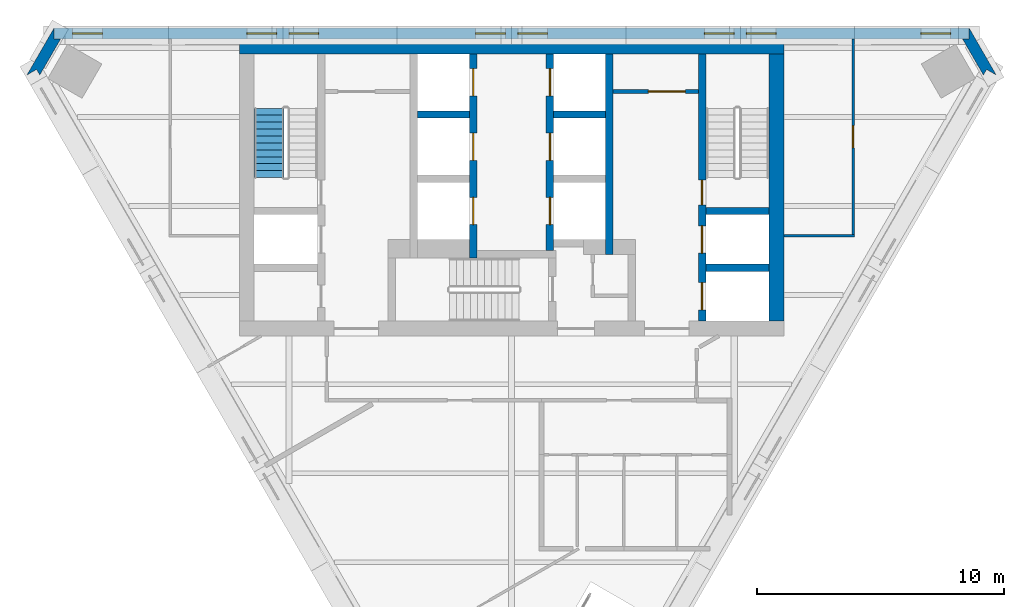
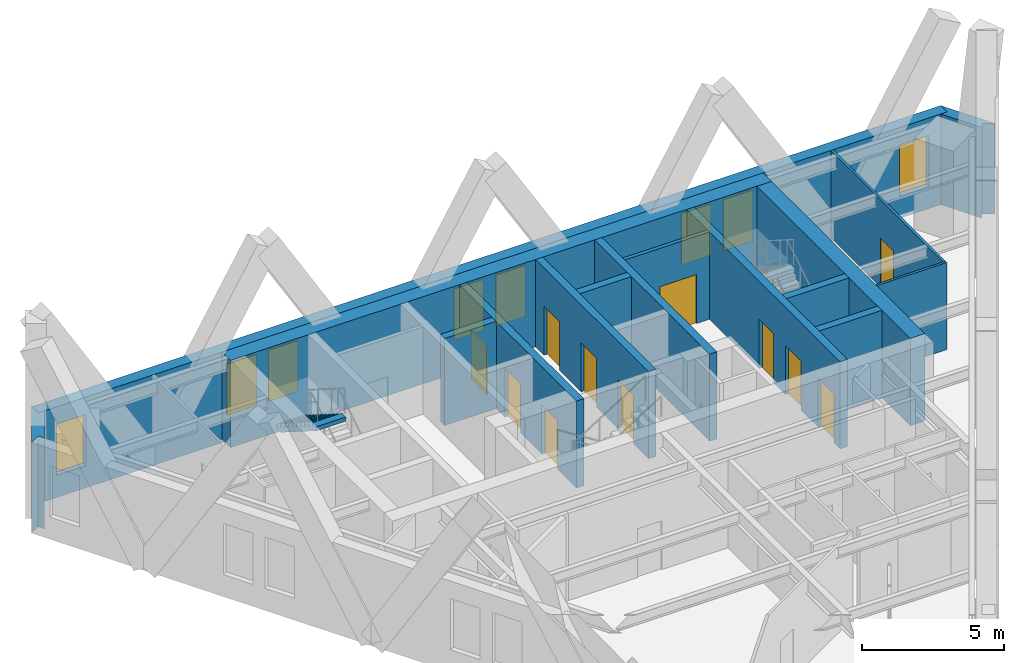
# One storey, part 6 of 9: 16 walls, 11 doors, 8 windows, 1 stair flight, 19 openings, 1 element without a shape of its own.
"""IFC4 building model written with IfcOpenShell, lengths in metres."""

from ifc_helpers import new_model, si_unit, direction, frame, frame_2d, origin, place, context, subcontext, project, spatial, polyline, rectangle, outline, extrude, material, layer, layer_set, type_object, element, fill, aggregate, save


model = new_model("IFC4")

# Units and contexts
model_context = context("Model", 3, precision=1e-05, world=origin(), true_north=direction((0.0, 1.0)))
body_context = subcontext(model_context, "Body", "Model", "MODEL_VIEW")
ifc_project = project(units=[si_unit("LENGTHUNIT", "METRE"), si_unit("AREAUNIT", "SQUARE_METRE"), si_unit("VOLUMEUNIT", "CUBIC_METRE"), si_unit("PLANEANGLEUNIT", "RADIAN"), si_unit("MASSUNIT", "GRAM", prefix="KILO")], contexts=[model_context])

# Site, building, storey
site_placement = place(None, origin())
site = spatial("IfcSite", under=ifc_project, at=site_placement, CompositionType="ELEMENT")
building_placement = place(site_placement, origin())
building = spatial("IfcBuilding", under=site, at=building_placement, Name="Aloe Facet Convention Tower", CompositionType="ELEMENT")
storey_placement = place(building_placement, frame((0.0, 0.0, 277.699951171875)))
storey = spatial("IfcBuildingStorey", under=building, at=storey_placement, Name="L68", CompositionType="ELEMENT", Elevation=277.699951171875)

# Wall, opening, door
ifc_material_1 = material(Name="Concrete blockwork partition", Category="masonry")
ifc_layer_1 = layer(ifc_material_1, 0.14990234375)
ifc_layer_set_1 = layer_set([ifc_layer_1], Name="CR-W-PART150")
wall_type_1 = type_object("IfcWallType", Name="CR-W-PART150", PredefinedType="PARTITIONING", material=ifc_layer_set_1)
wall_1_placement = place(storey_placement, frame((84.10009765625, 132.425048828125, 0.0), z_axis=(0.0, 0.0, 1.0), x_axis=(1.0, 0.0, 0.0)))
wall_1 = element("IfcWall", 1, at=wall_1_placement, inside=storey, type_object=wall_type_1, Name="Core partition L68-025", PredefinedType="PARTITIONING", context=body_context, shape_type="SweptSolid", body=[
    extrude(rectangle(XDim=3.449951171875, YDim=0.14990234375, at=frame_2d((1.72509765625, 0.0))), origin(), (0.0, 0.0, 1.0), 3.75),
])
opening_1_placement = place(wall_1_placement, frame((1.425048828125, 0.0, 0.0)))
opening_1 = element("IfcOpeningElement", 2, at=opening_1_placement, cuts=wall_1, Name="Opening L68-CD13", PredefinedType="OPENING", context=body_context, shape_type="SweptSolid", body=[
    extrude(rectangle(XDim=1.5, YDim=2.10009765625, at=frame_2d((0.75, 1.050048828125))), frame((0.0, 0.0849609375, 0.0), z_axis=(0.0, -1.0, 0.0), x_axis=(1.0, 0.0, 0.0)), (0.0, 0.0, 1.0), 0.169921875),
])
ifc_material_2 = material(Name="Steel fire-resisting door set FD60", Category="steel")
door_type_1 = type_object("IfcDoorType", Name="CR-D-REFUGE-1500-FD60-DD", OperationType="DOUBLE_DOOR_DOUBLE_SWING", PredefinedType="DOOR", material=ifc_material_2)
door_1_placement = place(opening_1_placement, origin())
door_1 = element("IfcDoor", 3, at=door_1_placement, inside=storey, type_object=door_type_1, Name="Core door L68-CD13", OperationType="DOUBLE_DOOR_DOUBLE_SWING", OverallHeight=2.10009765625, OverallWidth=1.5, PredefinedType="DOOR", context=body_context, shape_type="SweptSolid", body=[
    extrude(rectangle(XDim=1.5, YDim=2.10009765625, at=frame_2d((0.75, 1.050048828125))), frame((0.0, 0.02490234375, 0.0), z_axis=(0.0, -1.0, 0.0), x_axis=(1.0, 0.0, 0.0)), (0.0, 0.0, 1.0), 0.050048828125),
])
fill(opening_1, door_1)

# Wall
ifc_material_3 = material(Name="Concrete C50/60", Category="concrete")
ifc_layer_2 = layer(ifc_material_3, 0.300048828125)
ifc_layer_set_2 = layer_set([ifc_layer_2], Name="CR-W-RC300-C5060")
wall_type_2 = type_object("IfcWallType", Name="CR-W-RC300-C5060", PredefinedType="SOLIDWALL", material=ifc_layer_set_2)
wall_2_placement = place(storey_placement, frame((76.199951171875, 131.5, 0.0), z_axis=(0.0, 0.0, 1.0), x_axis=(1.0, 0.0, 0.0)))
element("IfcWall", 4, at=wall_2_placement, inside=storey, type_object=wall_type_2, Name="Core wall L68-011", PredefinedType="SOLIDWALL", context=body_context, shape_type="SweptSolid", body=[
    extrude(rectangle(XDim=2.10009765625, YDim=0.300048828125, at=frame_2d((1.050048828125, 0.0))), origin(), (0.0, 0.0, 1.0), 3.75),
])

# Wall, openings, doors
wall_3_placement = place(storey_placement, frame((78.449951171875, 133.949951171875, 0.0), z_axis=(0.0, 0.0, 1.0), x_axis=(0.0, -1.0, 0.0)))
wall_3 = element("IfcWall", 5, at=wall_3_placement, inside=storey, type_object=wall_type_2, Name="Core wall L68-014", PredefinedType="SOLIDWALL", context=body_context, shape_type="SweptSolid", body=[
    extrude(rectangle(XDim=8.25, YDim=0.300048828125, at=frame_2d((4.125, 0.0))), origin(), (0.0, 0.0, 1.0), 3.75),
])
opening_2_placement = place(wall_3_placement, frame((0.60009765625, 0.0, 0.0)))
opening_2 = element("IfcOpeningElement", 6, at=opening_2_placement, cuts=wall_3, Name="Opening LD-B1-L68", PredefinedType="OPENING", context=body_context, shape_type="SweptSolid", body=[
    extrude(rectangle(XDim=1.10009765625, YDim=2.10009765625, at=frame_2d((0.550048828125, 1.050048828125))), frame((0.0, 0.16015625, 0.0), z_axis=(0.0, -1.0, 0.0), x_axis=(1.0, 0.0, 0.0)), (0.0, 0.0, 1.0), 0.320068359375),
])
opening_3_placement = place(wall_3_placement, frame((3.199951171875, 0.0, 0.0)))
opening_3 = element("IfcOpeningElement", 7, at=opening_3_placement, cuts=wall_3, Name="Opening LD-B2-L68", PredefinedType="OPENING", context=body_context, shape_type="SweptSolid", body=[
    extrude(rectangle(XDim=1.10009765625, YDim=2.10009765625, at=frame_2d((0.550048828125, 1.050048828125))), frame((0.0, 0.16015625, 0.0), z_axis=(0.0, -1.0, 0.0), x_axis=(1.0, 0.0, 0.0)), (0.0, 0.0, 1.0), 0.320068359375),
])
opening_4_placement = place(wall_3_placement, frame((5.800048828125, 0.0, 0.0)))
opening_4 = element("IfcOpeningElement", 8, at=opening_4_placement, cuts=wall_3, Name="Opening LD-B3-L68", PredefinedType="OPENING", context=body_context, shape_type="SweptSolid", body=[
    extrude(rectangle(XDim=1.10009765625, YDim=2.10009765625, at=frame_2d((0.550048828125, 1.050048828125))), frame((0.0, 0.16015625, 0.0), z_axis=(0.0, -1.0, 0.0), x_axis=(1.0, 0.0, 0.0)), (0.0, 0.0, 1.0), 0.320068359375),
])
ifc_material_4 = material(Name="Stainless steel sliding landing door", Category="steel")
door_type_2 = type_object("IfcDoorType", Name="CR-LD-1100-FD60-RIGHT", OperationType="SLIDING_TO_RIGHT", PredefinedType="DOOR", material=ifc_material_4)
door_2_placement = place(opening_2_placement, origin())
door_2 = element("IfcDoor", 9, at=door_2_placement, inside=storey, type_object=door_type_2, Name="Landing door B1 L68", OperationType="SLIDING_TO_RIGHT", OverallHeight=2.10009765625, OverallWidth=1.10009765625, PredefinedType="DOOR", context=body_context, shape_type="SweptSolid", body=[
    extrude(rectangle(XDim=1.10009765625, YDim=2.10009765625, at=frame_2d((0.550048828125, 1.050048828125))), frame((0.0, 0.02490234375, 0.0), z_axis=(0.0, -1.0, 0.0), x_axis=(1.0, 0.0, 0.0)), (0.0, 0.0, 1.0), 0.050048828125),
])
fill(opening_2, door_2)
door_3_placement = place(opening_3_placement, origin())
door_3 = element("IfcDoor", 10, at=door_3_placement, inside=storey, type_object=door_type_2, Name="Landing door B2 L68", OperationType="SLIDING_TO_RIGHT", OverallHeight=2.10009765625, OverallWidth=1.10009765625, PredefinedType="DOOR", context=body_context, shape_type="SweptSolid", body=[
    extrude(rectangle(XDim=1.10009765625, YDim=2.10009765625, at=frame_2d((0.550048828125, 1.050048828125))), frame((0.0, 0.02490234375, 0.0), z_axis=(0.0, -1.0, 0.0), x_axis=(1.0, 0.0, 0.0)), (0.0, 0.0, 1.0), 0.050048828125),
])
fill(opening_3, door_3)
door_4_placement = place(opening_4_placement, origin())
door_4 = element("IfcDoor", 11, at=door_4_placement, inside=storey, type_object=door_type_2, Name="Landing door B3 L68", OperationType="SLIDING_TO_RIGHT", OverallHeight=2.10009765625, OverallWidth=1.10009765625, PredefinedType="DOOR", context=body_context, shape_type="SweptSolid", body=[
    extrude(rectangle(XDim=1.10009765625, YDim=2.10009765625, at=frame_2d((0.550048828125, 1.050048828125))), frame((0.0, 0.02490234375, 0.0), z_axis=(0.0, -1.0, 0.0), x_axis=(1.0, 0.0, 0.0)), (0.0, 0.0, 1.0), 0.050048828125),
])
fill(opening_4, door_4)

wall_4_placement = place(storey_placement, frame((81.550048828125, 133.949951171875, 0.0), z_axis=(0.0, 0.0, 1.0), x_axis=(0.0, -1.0, 0.0)))
wall_4 = element("IfcWall", 12, at=wall_4_placement, inside=storey, type_object=wall_type_2, Name="Core wall L68-016", PredefinedType="SOLIDWALL", context=body_context, shape_type="SweptSolid", body=[
    extrude(rectangle(XDim=7.949951171875, YDim=0.300048828125, at=frame_2d((3.97509765625, 0.0))), origin(), (0.0, 0.0, 1.0), 3.75),
])
opening_5_placement = place(wall_4_placement, frame((0.60009765625, 0.0, 0.0)))
opening_5 = element("IfcOpeningElement", 13, at=opening_5_placement, cuts=wall_4, Name="Opening LD-B4-L68", PredefinedType="OPENING", context=body_context, shape_type="SweptSolid", body=[
    extrude(rectangle(XDim=1.10009765625, YDim=2.10009765625, at=frame_2d((0.550048828125, 1.050048828125))), frame((0.0, 0.16015625, 0.0), z_axis=(0.0, -1.0, 0.0), x_axis=(1.0, 0.0, 0.0)), (0.0, 0.0, 1.0), 0.320068359375),
])
opening_6_placement = place(wall_4_placement, frame((3.199951171875, 0.0, 0.0)))
opening_6 = element("IfcOpeningElement", 14, at=opening_6_placement, cuts=wall_4, Name="Opening LD-B5-L68", PredefinedType="OPENING", context=body_context, shape_type="SweptSolid", body=[
    extrude(rectangle(XDim=1.10009765625, YDim=2.10009765625, at=frame_2d((0.550048828125, 1.050048828125))), frame((0.0, 0.16015625, 0.0), z_axis=(0.0, -1.0, 0.0), x_axis=(1.0, 0.0, 0.0)), (0.0, 0.0, 1.0), 0.320068359375),
])
opening_7_placement = place(wall_4_placement, frame((5.800048828125, 0.0, 0.0)))
opening_7 = element("IfcOpeningElement", 15, at=opening_7_placement, cuts=wall_4, Name="Opening LD-B6-L68", PredefinedType="OPENING", context=body_context, shape_type="SweptSolid", body=[
    extrude(rectangle(XDim=1.10009765625, YDim=2.10009765625, at=frame_2d((0.550048828125, 1.050048828125))), frame((0.0, 0.16015625, 0.0), z_axis=(0.0, -1.0, 0.0), x_axis=(1.0, 0.0, 0.0)), (0.0, 0.0, 1.0), 0.320068359375),
])
ifc_material_5 = material(Name="Stainless steel sliding landing door", Category="steel")
door_type_3 = type_object("IfcDoorType", Name="CR-LD-1100-FD60-_LEFT", OperationType="SLIDING_TO_LEFT", PredefinedType="DOOR", material=ifc_material_5)
door_5_placement = place(opening_5_placement, origin())
door_5 = element("IfcDoor", 16, at=door_5_placement, inside=storey, type_object=door_type_3, Name="Landing door B4 L68", OperationType="SLIDING_TO_LEFT", OverallHeight=2.10009765625, OverallWidth=1.10009765625, PredefinedType="DOOR", context=body_context, shape_type="SweptSolid", body=[
    extrude(rectangle(XDim=1.10009765625, YDim=2.10009765625, at=frame_2d((0.550048828125, 1.050048828125))), frame((0.0, 0.02490234375, 0.0), z_axis=(0.0, -1.0, 0.0), x_axis=(1.0, 0.0, 0.0)), (0.0, 0.0, 1.0), 0.050048828125),
])
fill(opening_5, door_5)
door_6_placement = place(opening_6_placement, origin())
door_6 = element("IfcDoor", 17, at=door_6_placement, inside=storey, type_object=door_type_3, Name="Landing door B5 L68", OperationType="SLIDING_TO_LEFT", OverallHeight=2.10009765625, OverallWidth=1.10009765625, PredefinedType="DOOR", context=body_context, shape_type="SweptSolid", body=[
    extrude(rectangle(XDim=1.10009765625, YDim=2.10009765625, at=frame_2d((0.550048828125, 1.050048828125))), frame((0.0, 0.02490234375, 0.0), z_axis=(0.0, -1.0, 0.0), x_axis=(1.0, 0.0, 0.0)), (0.0, 0.0, 1.0), 0.050048828125),
])
fill(opening_6, door_6)
door_7_placement = place(opening_7_placement, origin())
door_7 = element("IfcDoor", 18, at=door_7_placement, inside=storey, type_object=door_type_3, Name="Landing door B6 L68", OperationType="SLIDING_TO_LEFT", OverallHeight=2.10009765625, OverallWidth=1.10009765625, PredefinedType="DOOR", context=body_context, shape_type="SweptSolid", body=[
    extrude(rectangle(XDim=1.10009765625, YDim=2.10009765625, at=frame_2d((0.550048828125, 1.050048828125))), frame((0.0, 0.02490234375, 0.0), z_axis=(0.0, -1.0, 0.0), x_axis=(1.0, 0.0, 0.0)), (0.0, 0.0, 1.0), 0.050048828125),
])
fill(opening_7, door_7)

# Walls
wall_5_placement = place(storey_placement, frame((81.699951171875, 131.5, 0.0), z_axis=(0.0, 0.0, 1.0), x_axis=(1.0, 0.0, 0.0)))
element("IfcWall", 19, at=wall_5_placement, inside=storey, type_object=wall_type_2, Name="Core wall L68-018", PredefinedType="SOLIDWALL", context=body_context, shape_type="SweptSolid", body=[
    extrude(rectangle(XDim=2.10009765625, YDim=0.300048828125, at=frame_2d((1.050048828125, 0.0))), origin(), (0.0, 0.0, 1.0), 3.75),
])
wall_6_placement = place(storey_placement, frame((83.949951171875, 133.949951171875, 0.0), z_axis=(0.0, 0.0, 1.0), x_axis=(0.0, -1.0, 0.0)))
element("IfcWall", 20, at=wall_6_placement, inside=storey, type_object=wall_type_2, Name="Core wall L68-024", PredefinedType="SOLIDWALL", context=body_context, shape_type="SweptSolid", body=[
    extrude(rectangle(XDim=8.099853515625, YDim=0.300048828125, at=frame_2d((4.0498046875, 0.0))), origin(), (0.0, 0.0, 1.0), 3.75),
])

# Wall, openings, doors
wall_7_placement = place(storey_placement, frame((87.699951171875, 133.949951171875, 0.0), z_axis=(0.0, 0.0, 1.0), x_axis=(0.0, -1.0, 0.0)))
wall_7 = element("IfcWall", 21, at=wall_7_placement, inside=storey, type_object=wall_type_2, Name="Core wall L68-028", PredefinedType="SOLIDWALL", context=body_context, shape_type="SweptSolid", body=[
    extrude(rectangle(XDim=10.800048828125, YDim=0.300048828125, at=frame_2d((5.39990234375, 0.0))), origin(), (0.0, 0.0, 1.0), 3.75),
])
opening_8_placement = place(wall_7_placement, frame((6.949951171875, 0.0, 0.0)))
opening_8 = element("IfcOpeningElement", 22, at=opening_8_placement, cuts=wall_7, Name="Opening LD-FF2-L68", PredefinedType="OPENING", context=body_context, shape_type="SweptSolid", body=[
    extrude(rectangle(XDim=1.10009765625, YDim=2.10009765625, at=frame_2d((0.550048828125, 1.050048828125))), frame((0.0, 0.16015625, 0.0), z_axis=(0.0, -1.0, 0.0), x_axis=(1.0, 0.0, 0.0)), (0.0, 0.0, 1.0), 0.320068359375),
])
opening_9_placement = place(wall_7_placement, frame((5.10009765625, 0.0, 0.0)))
opening_9 = element("IfcOpeningElement", 23, at=opening_9_placement, cuts=wall_7, Name="Opening L68-CD17", PredefinedType="OPENING", context=body_context, shape_type="SweptSolid", body=[
    extrude(rectangle(XDim=1.0, YDim=2.10009765625, at=frame_2d((0.5, 1.050048828125))), frame((0.0, 0.16015625, 0.0), z_axis=(0.0, -1.0, 0.0), x_axis=(1.0, 0.0, 0.0)), (0.0, 0.0, 1.0), 0.320068359375),
])
opening_10_placement = place(wall_7_placement, frame((9.25, 0.0, 0.0)))
opening_10 = element("IfcOpeningElement", 24, at=opening_10_placement, cuts=wall_7, Name="Opening LD-SV1-L68", PredefinedType="OPENING", context=body_context, shape_type="SweptSolid", body=[
    extrude(rectangle(XDim=1.10009765625, YDim=2.10009765625, at=frame_2d((0.550048828125, 1.050048828125))), frame((0.0, 0.16015625, 0.0), z_axis=(0.0, -1.0, 0.0), x_axis=(1.0, 0.0, 0.0)), (0.0, 0.0, 1.0), 0.320068359375),
])
ifc_material_6 = material(Name="Steel fire-resisting door set FD120", Category="steel")
door_type_4 = type_object("IfcDoorType", Name="CR-D-STAIR-1000-FD120-SLEFT", OperationType="SINGLE_SWING_LEFT", PredefinedType="DOOR", material=ifc_material_6)
door_8_placement = place(opening_9_placement, origin())
door_8 = element("IfcDoor", 25, at=door_8_placement, inside=storey, type_object=door_type_4, Name="Core door L68-CD17", OperationType="SINGLE_SWING_LEFT", OverallHeight=2.10009765625, OverallWidth=1.0, PredefinedType="DOOR", context=body_context, shape_type="SweptSolid", body=[
    extrude(rectangle(XDim=1.0, YDim=2.10009765625, at=frame_2d((0.5, 1.050048828125))), frame((0.0, 0.02490234375, 0.0), z_axis=(0.0, -1.0, 0.0), x_axis=(1.0, 0.0, 0.0)), (0.0, 0.0, 1.0), 0.050048828125),
])
fill(opening_9, door_8)
ifc_material_7 = material(Name="Stainless steel sliding landing door", Category="steel")
door_type_5 = type_object("IfcDoorType", Name="CR-LD-1100-FD120-_LEFT", OperationType="SLIDING_TO_LEFT", PredefinedType="DOOR", material=ifc_material_7)
door_9_placement = place(opening_8_placement, origin())
door_9 = element("IfcDoor", 26, at=door_9_placement, inside=storey, type_object=door_type_5, Name="Landing door FF2 L68", OperationType="SLIDING_TO_LEFT", OverallHeight=2.10009765625, OverallWidth=1.10009765625, PredefinedType="DOOR", context=body_context, shape_type="SweptSolid", body=[
    extrude(rectangle(XDim=1.10009765625, YDim=2.10009765625, at=frame_2d((0.550048828125, 1.050048828125))), frame((0.0, 0.02490234375, 0.0), z_axis=(0.0, -1.0, 0.0), x_axis=(1.0, 0.0, 0.0)), (0.0, 0.0, 1.0), 0.050048828125),
])
fill(opening_8, door_9)
door_10_placement = place(opening_10_placement, origin())
door_10 = element("IfcDoor", 27, at=door_10_placement, inside=storey, type_object=door_type_5, Name="Landing door SV1 L68", OperationType="SLIDING_TO_LEFT", OverallHeight=2.10009765625, OverallWidth=1.10009765625, PredefinedType="DOOR", context=body_context, shape_type="SweptSolid", body=[
    extrude(rectangle(XDim=1.10009765625, YDim=2.10009765625, at=frame_2d((0.550048828125, 1.050048828125))), frame((0.0, 0.02490234375, 0.0), z_axis=(0.0, -1.0, 0.0), x_axis=(1.0, 0.0, 0.0)), (0.0, 0.0, 1.0), 0.050048828125),
])
fill(opening_10, door_10)

# Walls
for number, where, z_axis, x_axis, name in (
    (28, (87.85009765625, 127.60009765625, 0.0), (0.0, 0.0, 1.0), (1.0, 0.0, 0.0), "Core wall L68-029"),
    (29, (87.85009765625, 125.300048828125, 0.0), (0.0, 0.0, 1.0), (1.0, 0.0, 0.0), "Core wall L68-030"),
):
    element("IfcWall", number, at=place(storey_placement, frame(where, z_axis=z_axis, x_axis=x_axis)), inside=storey, type_object=wall_type_2, Name=name, PredefinedType="SOLIDWALL", context=body_context, shape_type="SweptSolid", body=[
        extrude(rectangle(XDim=2.5498046875, YDim=0.300048828125, at=frame_2d((1.27490234375, 0.0))), origin(), (0.0, 0.0, 1.0), 3.75),
    ])
ifc_material_8 = material(Name="Concrete C50/60", Category="concrete")
ifc_layer_3 = layer(ifc_material_8, 0.60009765625)
ifc_layer_set_3 = layer_set([ifc_layer_3], Name="CR-W-RC600-C5060")
wall_type_3 = type_object("IfcWallType", Name="CR-W-RC600-C5060", PredefinedType="SOLIDWALL", material=ifc_layer_set_3)
wall_8_placement = place(storey_placement, frame((69.0, 134.25, 0.0), z_axis=(0.0, 0.0, 1.0), x_axis=(1.0, 0.0, 0.0)))
element("IfcWall", 30, at=wall_8_placement, inside=storey, type_object=wall_type_3, Name="Core wall L68-001", PredefinedType="SOLIDWALL", context=body_context, shape_type="SweptSolid", body=[
    extrude(rectangle(XDim=22.0, YDim=0.60009765625, at=frame_2d((11.0, 0.0))), origin(), (0.0, 0.0, 1.0), 3.75),
])
wall_9_placement = place(storey_placement, frame((90.699951171875, 133.949951171875, 0.0), z_axis=(0.0, 0.0, 1.0), x_axis=(0.0, -1.0, 0.0)))
element("IfcWall", 31, at=wall_9_placement, inside=storey, type_object=wall_type_3, Name="Core wall L68-031", PredefinedType="SOLIDWALL", context=body_context, shape_type="SweptSolid", body=[
    extrude(rectangle(XDim=10.800048828125, YDim=0.60009765625, at=frame_2d((5.39990234375, 0.0))), origin(), (0.0, 0.0, 1.0), 3.75),
])
ifc_material_9 = material(Name="Precast concrete C40/50", Category="concrete")
ifc_layer_4 = layer(ifc_material_9, 0.449951171875)
ifc_layer_set_4 = layer_set([ifc_layer_4], Name="EV-WALL-PIER")
wall_type_4 = type_object("IfcWallType", Name="EV-WALL-PIER", PredefinedType="SOLIDWALL", material=ifc_layer_set_4)
wall_10_placement = place(storey_placement, frame((0.0, 0.0, -0.14990234375)))
element("IfcWall", 32, at=wall_10_placement, inside=storey, type_object=wall_type_4, Name="EP-L68-A", PredefinedType="SOLIDWALL", context=body_context, shape_type="SweptSolid", body=[
    extrude(outline(polyline([(61.513916015625, 135.0), (61.513916015625, 134.550048828125), (61.773681640625, 134.550048828125), (60.933349609375, 133.0947265625), (60.803466796875, 133.31982421875), (60.413818359375, 133.0947265625), (61.513916015625, 135.0)])), origin(), (0.0, 0.0, 1.0), 3.89990234375),
])
wall_11_placement = place(storey_placement, frame((0.0, 0.0, -0.14990234375)))
element("IfcWall", 33, at=wall_11_placement, inside=storey, type_object=wall_type_4, Name="EP-L68-C", PredefinedType="SOLIDWALL", context=body_context, shape_type="SweptSolid", body=[
    extrude(outline(polyline([(99.586181640625, 133.0947265625), (99.196533203125, 133.31982421875), (99.066650390625, 133.0947265625), (98.226318359375, 134.550048828125), (98.486083984375, 134.550048828125), (98.486083984375, 135.0), (99.586181640625, 133.0947265625)])), origin(), (0.0, 0.0, 1.0), 3.89990234375),
])

# Wall, openings, windows
ifc_material_10 = material(Name="Precast concrete C40/50", Category="concrete")
ifc_layer_5 = layer(ifc_material_10, 0.449951171875)
ifc_layer_set_5 = layer_set([ifc_layer_5], Name="EV-WALL-STONE")
wall_type_5 = type_object("IfcWallType", Name="EV-WALL-STONE", PredefinedType="SOLIDWALL", material=ifc_layer_set_5)
wall_12_placement = place(storey_placement, frame((98.486083984375, 134.77490234375, -0.14990234375), z_axis=(0.0, 0.0, 1.0), x_axis=(-1.0, 0.0, 0.0)))
wall_12 = element("IfcWall", 34, at=wall_12_placement, inside=storey, type_object=wall_type_5, Name="EW-L68-N01", PredefinedType="SOLIDWALL", context=body_context, shape_type="SweptSolid", body=[
    extrude(outline(polyline([(36.972412109375, 0.0), (36.972412109375, 3.89990234375), (0.0, 3.89990234375), (0.0, 0.0), (36.972412109375, 0.0)])), frame((0.0, 0.22509765625, 0.0), z_axis=(0.0, -1.0, 0.0), x_axis=(1.0, 0.0, 0.0)), (0.0, 0.0, 1.0), 0.449951171875),
])
opening_11_placement = place(wall_12_placement, frame((0.744140625, 0.0, 0.949951171875)))
opening_11 = element("IfcOpeningElement", 35, at=opening_11_placement, cuts=wall_12, Name="Opening W-L68-N01", PredefinedType="OPENING", context=body_context, shape_type="SweptSolid", body=[
    extrude(rectangle(XDim=1.199951171875, YDim=2.199951171875, at=frame_2d((0.60009765625, 1.10009765625))), frame((0.0, 0.23486328125, 0.0), z_axis=(0.0, -1.0, 0.0), x_axis=(1.0, 0.0, 0.0)), (0.0, 0.0, 1.0), 0.469970703125),
])
opening_12_placement = place(wall_12_placement, frame((7.79296875, 0.0, 0.949951171875)))
opening_12 = element("IfcOpeningElement", 36, at=opening_12_placement, cuts=wall_12, Name="Opening W-L68-N02", PredefinedType="OPENING", context=body_context, shape_type="SweptSolid", body=[
    extrude(rectangle(XDim=1.199951171875, YDim=2.199951171875, at=frame_2d((0.60009765625, 1.10009765625))), frame((0.0, 0.23486328125, 0.0), z_axis=(0.0, -1.0, 0.0), x_axis=(1.0, 0.0, 0.0)), (0.0, 0.0, 1.0), 0.469970703125),
])
opening_13_placement = place(wall_12_placement, frame((9.4931640625, 0.0, 0.949951171875)))
opening_13 = element("IfcOpeningElement", 37, at=opening_13_placement, cuts=wall_12, Name="Opening W-L68-N03", PredefinedType="OPENING", context=body_context, shape_type="SweptSolid", body=[
    extrude(rectangle(XDim=1.199951171875, YDim=2.199951171875, at=frame_2d((0.60009765625, 1.10009765625))), frame((0.0, 0.23486328125, 0.0), z_axis=(0.0, -1.0, 0.0), x_axis=(1.0, 0.0, 0.0)), (0.0, 0.0, 1.0), 0.469970703125),
])
opening_14_placement = place(wall_12_placement, frame((17.0361328125, 0.0, 0.949951171875)))
opening_14 = element("IfcOpeningElement", 38, at=opening_14_placement, cuts=wall_12, Name="Opening W-L68-N04", PredefinedType="OPENING", context=body_context, shape_type="SweptSolid", body=[
    extrude(rectangle(XDim=1.199951171875, YDim=2.199951171875, at=frame_2d((0.60009765625, 1.10009765625))), frame((0.0, 0.23486328125, 0.0), z_axis=(0.0, -1.0, 0.0), x_axis=(1.0, 0.0, 0.0)), (0.0, 0.0, 1.0), 0.469970703125),
])
opening_15_placement = place(wall_12_placement, frame((18.736083984375, 0.0, 0.949951171875)))
opening_15 = element("IfcOpeningElement", 39, at=opening_15_placement, cuts=wall_12, Name="Opening W-L68-N05", PredefinedType="OPENING", context=body_context, shape_type="SweptSolid", body=[
    extrude(rectangle(XDim=1.199951171875, YDim=2.199951171875, at=frame_2d((0.60009765625, 1.10009765625))), frame((0.0, 0.23486328125, 0.0), z_axis=(0.0, -1.0, 0.0), x_axis=(1.0, 0.0, 0.0)), (0.0, 0.0, 1.0), 0.469970703125),
])
opening_16_placement = place(wall_12_placement, frame((26.279296875, 0.0, 0.949951171875)))
opening_16 = element("IfcOpeningElement", 40, at=opening_16_placement, cuts=wall_12, Name="Opening W-L68-N06", PredefinedType="OPENING", context=body_context, shape_type="SweptSolid", body=[
    extrude(rectangle(XDim=1.199951171875, YDim=2.199951171875, at=frame_2d((0.60009765625, 1.10009765625))), frame((0.0, 0.23486328125, 0.0), z_axis=(0.0, -1.0, 0.0), x_axis=(1.0, 0.0, 0.0)), (0.0, 0.0, 1.0), 0.469970703125),
])
opening_17_placement = place(wall_12_placement, frame((27.979248046875, 0.0, 0.949951171875)))
opening_17 = element("IfcOpeningElement", 41, at=opening_17_placement, cuts=wall_12, Name="Opening W-L68-N07", PredefinedType="OPENING", context=body_context, shape_type="SweptSolid", body=[
    extrude(rectangle(XDim=1.199951171875, YDim=2.199951171875, at=frame_2d((0.60009765625, 1.10009765625))), frame((0.0, 0.23486328125, 0.0), z_axis=(0.0, -1.0, 0.0), x_axis=(1.0, 0.0, 0.0)), (0.0, 0.0, 1.0), 0.469970703125),
])
opening_18_placement = place(wall_12_placement, frame((35.028076171875, 0.0, 0.949951171875)))
opening_18 = element("IfcOpeningElement", 42, at=opening_18_placement, cuts=wall_12, Name="Opening W-L68-N08", PredefinedType="OPENING", context=body_context, shape_type="SweptSolid", body=[
    extrude(rectangle(XDim=1.199951171875, YDim=2.199951171875, at=frame_2d((0.60009765625, 1.10009765625))), frame((0.0, 0.23486328125, 0.0), z_axis=(0.0, -1.0, 0.0), x_axis=(1.0, 0.0, 0.0)), (0.0, 0.0, 1.0), 0.469970703125),
])
ifc_material_11 = material(Name="Aluminium frame, clear double glazing", Category="aluminium")
window_type = type_object("IfcWindowType", Name="EV-WIN-O12", PartitioningType="SINGLE_PANEL", PredefinedType="WINDOW", material=ifc_material_11)
window_1_placement = place(opening_11_placement, origin())
window_1 = element("IfcWindow", 43, at=window_1_placement, inside=storey, type_object=window_type, Name="W-L68-N01", OverallHeight=2.199951171875, OverallWidth=1.199951171875, PartitioningType="SINGLE_PANEL", PredefinedType="WINDOW", context=body_context, shape_type="SweptSolid", body=[
    extrude(rectangle(XDim=1.199951171875, YDim=2.199951171875, at=frame_2d((0.60009765625, 1.10009765625))), frame((0.0, 0.030029296875, 0.0), z_axis=(0.0, -1.0, 0.0), x_axis=(1.0, 0.0, 0.0)), (0.0, 0.0, 1.0), 0.06005859375),
])
fill(opening_11, window_1)
window_2_placement = place(opening_12_placement, origin())
window_2 = element("IfcWindow", 44, at=window_2_placement, inside=storey, type_object=window_type, Name="W-L68-N02", OverallHeight=2.199951171875, OverallWidth=1.199951171875, PartitioningType="SINGLE_PANEL", PredefinedType="WINDOW", context=body_context, shape_type="SweptSolid", body=[
    extrude(rectangle(XDim=1.199951171875, YDim=2.199951171875, at=frame_2d((0.60009765625, 1.10009765625))), frame((0.0, 0.030029296875, 0.0), z_axis=(0.0, -1.0, 0.0), x_axis=(1.0, 0.0, 0.0)), (0.0, 0.0, 1.0), 0.06005859375),
])
fill(opening_12, window_2)
window_3_placement = place(opening_13_placement, origin())
window_3 = element("IfcWindow", 45, at=window_3_placement, inside=storey, type_object=window_type, Name="W-L68-N03", OverallHeight=2.199951171875, OverallWidth=1.199951171875, PartitioningType="SINGLE_PANEL", PredefinedType="WINDOW", context=body_context, shape_type="SweptSolid", body=[
    extrude(rectangle(XDim=1.199951171875, YDim=2.199951171875, at=frame_2d((0.60009765625, 1.10009765625))), frame((0.0, 0.030029296875, 0.0), z_axis=(0.0, -1.0, 0.0), x_axis=(1.0, 0.0, 0.0)), (0.0, 0.0, 1.0), 0.06005859375),
])
fill(opening_13, window_3)
window_4_placement = place(opening_14_placement, origin())
window_4 = element("IfcWindow", 46, at=window_4_placement, inside=storey, type_object=window_type, Name="W-L68-N04", OverallHeight=2.199951171875, OverallWidth=1.199951171875, PartitioningType="SINGLE_PANEL", PredefinedType="WINDOW", context=body_context, shape_type="SweptSolid", body=[
    extrude(rectangle(XDim=1.199951171875, YDim=2.199951171875, at=frame_2d((0.60009765625, 1.10009765625))), frame((0.0, 0.030029296875, 0.0), z_axis=(0.0, -1.0, 0.0), x_axis=(1.0, 0.0, 0.0)), (0.0, 0.0, 1.0), 0.06005859375),
])
fill(opening_14, window_4)
window_5_placement = place(opening_15_placement, origin())
window_5 = element("IfcWindow", 47, at=window_5_placement, inside=storey, type_object=window_type, Name="W-L68-N05", OverallHeight=2.199951171875, OverallWidth=1.199951171875, PartitioningType="SINGLE_PANEL", PredefinedType="WINDOW", context=body_context, shape_type="SweptSolid", body=[
    extrude(rectangle(XDim=1.199951171875, YDim=2.199951171875, at=frame_2d((0.60009765625, 1.10009765625))), frame((0.0, 0.030029296875, 0.0), z_axis=(0.0, -1.0, 0.0), x_axis=(1.0, 0.0, 0.0)), (0.0, 0.0, 1.0), 0.06005859375),
])
fill(opening_15, window_5)
window_6_placement = place(opening_16_placement, origin())
window_6 = element("IfcWindow", 48, at=window_6_placement, inside=storey, type_object=window_type, Name="W-L68-N06", OverallHeight=2.199951171875, OverallWidth=1.199951171875, PartitioningType="SINGLE_PANEL", PredefinedType="WINDOW", context=body_context, shape_type="SweptSolid", body=[
    extrude(rectangle(XDim=1.199951171875, YDim=2.199951171875, at=frame_2d((0.60009765625, 1.10009765625))), frame((0.0, 0.030029296875, 0.0), z_axis=(0.0, -1.0, 0.0), x_axis=(1.0, 0.0, 0.0)), (0.0, 0.0, 1.0), 0.06005859375),
])
fill(opening_16, window_6)
window_7_placement = place(opening_17_placement, origin())
window_7 = element("IfcWindow", 49, at=window_7_placement, inside=storey, type_object=window_type, Name="W-L68-N07", OverallHeight=2.199951171875, OverallWidth=1.199951171875, PartitioningType="SINGLE_PANEL", PredefinedType="WINDOW", context=body_context, shape_type="SweptSolid", body=[
    extrude(rectangle(XDim=1.199951171875, YDim=2.199951171875, at=frame_2d((0.60009765625, 1.10009765625))), frame((0.0, 0.030029296875, 0.0), z_axis=(0.0, -1.0, 0.0), x_axis=(1.0, 0.0, 0.0)), (0.0, 0.0, 1.0), 0.06005859375),
])
fill(opening_17, window_7)
window_8_placement = place(opening_18_placement, origin())
window_8 = element("IfcWindow", 50, at=window_8_placement, inside=storey, type_object=window_type, Name="W-L68-N08", OverallHeight=2.199951171875, OverallWidth=1.199951171875, PartitioningType="SINGLE_PANEL", PredefinedType="WINDOW", context=body_context, shape_type="SweptSolid", body=[
    extrude(rectangle(XDim=1.199951171875, YDim=2.199951171875, at=frame_2d((0.60009765625, 1.10009765625))), frame((0.0, 0.030029296875, 0.0), z_axis=(0.0, -1.0, 0.0), x_axis=(1.0, 0.0, 0.0)), (0.0, 0.0, 1.0), 0.06005859375),
])
fill(opening_18, window_8)

# Wall
ifc_material_12 = material(Name="Gypsum board partition on steel studs", Category="steel")
ifc_layer_6 = layer(ifc_material_12, 0.10009765625)
ifc_layer_set_6 = layer_set([ifc_layer_6], Name="IN-W-PART")
wall_type_6 = type_object("IfcWallType", Name="IN-W-PART", PredefinedType="PARTITIONING", material=ifc_layer_set_6)
wall_13_placement = place(storey_placement, frame((91.0, 126.60009765625, 0.0), z_axis=(0.0, 0.0, 1.0), x_axis=(1.0, 0.0, 0.0)))
element("IfcWall", 51, at=wall_13_placement, inside=storey, type_object=wall_type_6, Name="Partition L68-W028", PredefinedType="PARTITIONING", context=body_context, shape_type="SweptSolid", body=[
    extrude(rectangle(XDim=2.849609375, YDim=0.10009765625, at=frame_2d((1.4248046875, 0.0))), origin(), (0.0, 0.0, 1.0), 3.75),
])

# Wall, opening, door
wall_14_placement = place(storey_placement, frame((93.7998046875, 126.64990234375, 0.0), z_axis=(0.0, 0.0, 1.0), x_axis=(0.000247226421, 0.99999996944, 0.0)))
wall_14 = element("IfcWall", 52, at=wall_14_placement, inside=storey, type_object=wall_type_6, Name="Partition L68-W029", PredefinedType="PARTITIONING", context=body_context, shape_type="SweptSolid", body=[
    extrude(rectangle(XDim=7.900146484375, YDim=0.10009765625, at=frame_2d((3.9501953125, 0.0))), origin(), (0.0, 0.0, 1.0), 3.75),
])
opening_19_placement = place(wall_14_placement, frame((3.5, 0.0, 0.0)))
opening_19 = element("IfcOpeningElement", 53, at=opening_19_placement, cuts=wall_14, Name="Opening L68-006", PredefinedType="OPENING", context=body_context, shape_type="SweptSolid", body=[
    extrude(rectangle(XDim=0.89990234375, YDim=2.10009765625, at=frame_2d((0.449951171875, 1.050048828125))), frame((0.0, 0.06005859375, 0.0), z_axis=(0.0, -1.0, 0.0), x_axis=(1.0, 0.0, 0.0)), (0.0, 0.0, 1.0), 0.1201171875),
])
ifc_material_13 = material(Name="Timber door", Category="wood")
door_type_6 = type_object("IfcDoorType", Name="IN-OFF-D-ROOM", OperationType="SINGLE_SWING_LEFT", PredefinedType="DOOR", material=ifc_material_13)
door_11_placement = place(opening_19_placement, origin())
door_11 = element("IfcDoor", 54, at=door_11_placement, inside=storey, type_object=door_type_6, Name="Door L68-006", OperationType="SINGLE_SWING_LEFT", OverallHeight=2.10009765625, OverallWidth=0.89990234375, PredefinedType="DOOR", context=body_context, shape_type="SweptSolid", body=[
    extrude(rectangle(XDim=0.89990234375, YDim=2.10009765625, at=frame_2d((0.449951171875, 1.050048828125))), frame((0.0, 0.02490234375, 0.0), z_axis=(0.0, -1.0, 0.0), x_axis=(1.0, 0.0, 0.0)), (0.0, 0.0, 1.0), 0.050048828125),
])
fill(opening_19, door_11)

# Stair, stair flight
ifc_material_14 = material(Name="Concrete C50/60", Category="concrete")
stair_type = type_object("IfcStairType", Name="CR-ST-22R", PredefinedType="HALF_TURN_STAIR", material=ifc_material_14)
stair_placement = place(storey_placement, origin())
stair = element("IfcStair", 55, at=stair_placement, inside=storey, type_object=stair_type, Name="L68 Protected exit stair ST1", PredefinedType="HALF_TURN_STAIR")
ifc_material_15 = material(Name="Concrete C50/60", Category="concrete")
stair_flight_type = type_object("IfcStairFlightType", Name="CR-SFL-22R", PredefinedType="STRAIGHT", material=ifc_material_15)
stair_flight_placement = place(storey_placement, frame((70.199951171875, 131.75, 1.949951171875), z_axis=(0.0, 0.0, 1.0), x_axis=(0.0, -1.0, 0.0)))
stair_flight = element("IfcStairFlight", 56, at=stair_flight_placement, type_object=stair_flight_type, Name="ST1 flight 2", NumberOfRisers=11, NumberOfTreads=10, PredefinedType="STRAIGHT", RiserHeight=0.177272727, TreadLength=0.28, context=body_context, shape_type="SweptSolid", body=[
    extrude(outline(polyline([(0.0, 0.0), (0.0, 0.17724609375), (0.280029296875, 0.17724609375), (0.280029296875, 0.3544921875), (0.56005859375, 0.3544921875), (0.56005859375, 0.53173828125), (0.840087890625, 0.53173828125), (0.840087890625, 0.708984375), (1.1201171875, 0.708984375), (1.1201171875, 0.886474609375), (1.39990234375, 0.886474609375), (1.39990234375, 1.063720703125), (1.679931640625, 1.063720703125), (1.679931640625, 1.240966796875), (1.9599609375, 1.240966796875), (1.9599609375, 1.418212890625), (2.239990234375, 1.418212890625), (2.239990234375, 1.595458984375), (2.52001953125, 1.595458984375), (2.52001953125, 1.772705078125), (2.800048828125, 1.772705078125), (2.800048828125, 1.949951171875), (2.800048828125, 1.59521484375), (0.2802734375, 0.0), (0.0, 0.0)])), frame((0.0, 0.60009765625, 0.0), z_axis=(0.0, -1.0, 0.0), x_axis=(1.0, 0.0, 0.0)), (0.0, 0.0, 1.0), 1.199951171875),
])
aggregate(stair, [stair_flight])

save(model, "model.ifc")
